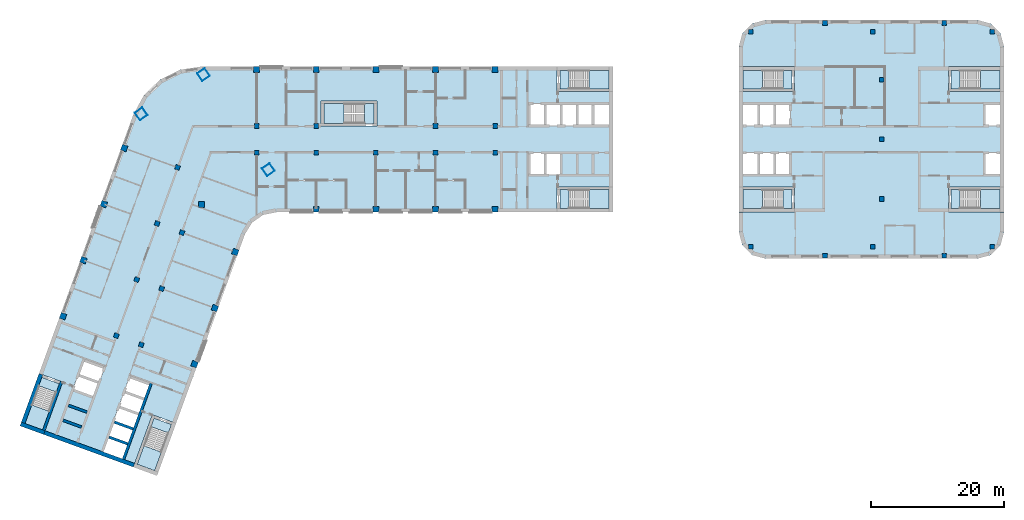
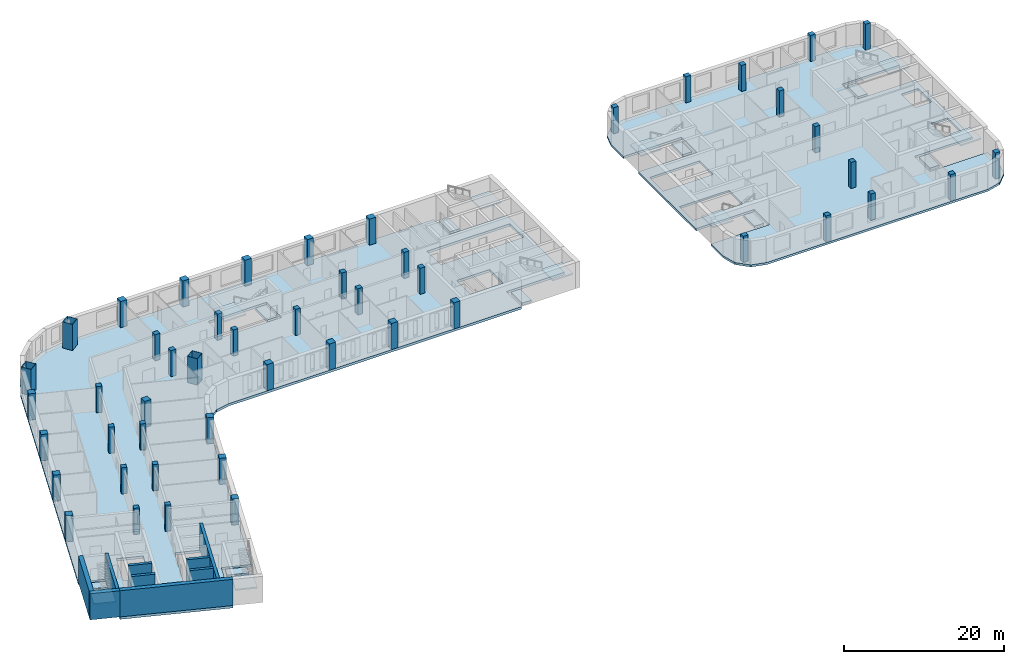
# One storey, part 1 of 12: 49 columns, 20 slabs, 9 walls, 9 elements without a shape of their own.
"""IFC4 building model written with IfcOpenShell, lengths in metres."""

from ifc_helpers import new_model, si_unit, direction, frame, frame_2d, origin, origin_2d, place, context, subcontext, project, spatial, polyline, rectangle, hollow_rectangle, outline, extrude, material, layer, layer_set, material_profile, profile_set, type_object, element, aggregate, save


model = new_model("IFC4")

# Units and contexts
model_context = context("Model", 3, precision=1e-05, world=origin(), true_north=direction((0.0, 1.0)))
body_context = subcontext(model_context, "Body", "Model", "MODEL_VIEW")
ifc_project = project(units=[si_unit("LENGTHUNIT", "METRE"), si_unit("AREAUNIT", "SQUARE_METRE"), si_unit("VOLUMEUNIT", "CUBIC_METRE"), si_unit("PLANEANGLEUNIT", "RADIAN"), si_unit("MASSUNIT", "GRAM", prefix="KILO")], contexts=[model_context])

# Site, building, storey
site_placement = place(None, origin())
site = spatial("IfcSite", under=ifc_project, at=site_placement, CompositionType="ELEMENT")
building_placement = place(site_placement, origin())
building = spatial("IfcBuilding", under=site, at=building_placement, Name="Skarvind Civic Tower", CompositionType="ELEMENT")
storey_placement = place(building_placement, frame((0.0, 0.0, 63.5)))
storey = spatial("IfcBuildingStorey", under=building, at=storey_placement, Name="L14", CompositionType="ELEMENT", Elevation=63.5)

# Columns
ifc_material_1 = material(Name="Concrete C60", Category="concrete")
ifc_material_profile_1 = material_profile(ifc_material_1, rectangle(XDim=0.699951171875, YDim=0.699951171875, at=origin_2d()), Name="RC-700x700")
ifc_profile_set_1 = profile_set([ifc_material_profile_1], Name="Concrete C60")
column_type_1 = type_object("IfcColumnType", Name="Column RC-700x700 C60", PredefinedType="COLUMN", material=ifc_profile_set_1)
for number, where, z_axis, x_axis, name in (
    (1, (54.25, 130.0, 0.0), (0.0, 0.0, 1.0), (1.0, 0.0, 0.0), "Column wing 1 north inner 02 L14"),
    (2, (63.25, 130.0, 0.0), (0.0, 0.0, 1.0), (1.0, 0.0, 0.0), "Column wing 1 north inner 03 L14"),
    (3, (81.25, 130.0, 0.0), (0.0, 0.0, 1.0), (1.0, 0.0, 0.0), "Column wing 1 north inner 05 L14"),
    (4, (90.25, 130.0, 0.0), (0.0, 0.0, 1.0), (1.0, 0.0, 0.0), "Column wing 1 north inner 06 L14"),
    (5, (54.25, 126.0, 0.0), (0.0, 0.0, 1.0), (1.0, 0.0, 0.0), "Column wing 1 south inner 02 L14"),
    (6, (63.25, 126.0, 0.0), (0.0, 0.0, 1.0), (1.0, 0.0, 0.0), "Column wing 1 south inner 03 L14"),
    (7, (72.25, 126.0, 0.0), (0.0, 0.0, 1.0), (1.0, 0.0, 0.0), "Column wing 1 south inner 04 L14"),
    (8, (81.25, 126.0, 0.0), (0.0, 0.0, 1.0), (1.0, 0.0, 0.0), "Column wing 1 south inner 05 L14"),
    (9, (90.25, 126.0, 0.0), (0.0, 0.0, 1.0), (1.0, 0.0, 0.0), "Column wing 1 south inner 06 L14"),
    (10, (43.005615234375, 113.92529296875, 0.0), (0.0, 0.0, 1.0), (-0.342020143326, -0.939692620786, 0.0), "Column wing 2 left inner 02 L14"),
    (11, (39.927490234375, 105.468017578125, 0.0), (0.0, 0.0, 1.0), (-0.342020143326, -0.939692620786, 0.0), "Column wing 2 left inner 03 L14"),
    (12, (36.84912109375, 97.010986328125, 0.0), (0.0, 0.0, 1.0), (-0.342020143326, -0.939692620786, 0.0), "Column wing 2 left inner 04 L14"),
    (13, (42.324951171875, 123.750732421875, 0.0), (0.0, 0.0, 1.0), (-0.342020143326, -0.939692620786, 0.0), "Column wing 2 right inner 01 L14"),
    (14, (39.246826171875, 115.29345703125, 0.0), (0.0, 0.0, 1.0), (-0.342020143326, -0.939692620786, 0.0), "Column wing 2 right inner 02 L14"),
    (15, (36.168701171875, 106.836181640625, 0.0), (0.0, 0.0, 1.0), (-0.342020143326, -0.939692620786, 0.0), "Column wing 2 right inner 03 L14"),
    (16, (33.090576171875, 98.37890625, 0.0), (0.0, 0.0, 1.0), (-0.342020143326, -0.939692620786, 0.0), "Column wing 2 right inner 04 L14"),
    (17, (128.777099609375, 144.222900390625, 0.0), (0.0, 0.0, 1.0), (1.0, 0.0, 0.0), "Column second tower north-west corner L14"),
    (18, (128.777099609375, 111.777099609375, 0.0), (0.0, 0.0, 1.0), (1.0, 0.0, 0.0), "Column second tower south-west corner L14"),
    (19, (148.550048828125, 119.0, 0.0), (0.0, 0.0, 1.0), (1.0, 0.0, 0.0), "Column second tower middle line 01 L14"),
    (20, (148.550048828125, 128.0, 0.0), (0.0, 0.0, 1.0), (1.0, 0.0, 0.0), "Column second tower middle line 02 L14"),
    (21, (148.550048828125, 137.0, 0.0), (0.0, 0.0, 1.0), (1.0, 0.0, 0.0), "Column second tower middle line 03 L14"),
    (22, (140.0, 145.550048828125, 0.0), (0.0, 0.0, 1.0), (1.0, 0.0, 0.0), "Column second tower north perimeter 02 L14"),
    (23, (147.222900390625, 144.222900390625, 0.0), (0.0, 0.0, 1.0), (1.0, 0.0, 0.0), "Column second tower north perimeter 03 L14"),
    (24, (140.0, 110.449951171875, 0.0), (0.0, 0.0, 1.0), (1.0, 0.0, 0.0), "Column second tower south perimeter 02 L14"),
    (25, (147.222900390625, 111.777099609375, 0.0), (0.0, 0.0, 1.0), (1.0, 0.0, 0.0), "Column second tower south perimeter 03 L14"),
    (26, (165.222900390625, 144.222900390625, 0.0), (0.0, 0.0, 1.0), (1.0, 0.0, 0.0), "Column second tower north-east corner L14"),
    (27, (165.222900390625, 111.777099609375, 0.0), (0.0, 0.0, 1.0), (1.0, 0.0, 0.0), "Column second tower south-east corner L14"),
    (28, (158.0, 145.550048828125, 0.0), (0.0, 0.0, 1.0), (1.0, 0.0, 0.0), "Column second tower north perimeter 04 L14"),
    (29, (158.0, 110.449951171875, 0.0), (0.0, 0.0, 1.0), (1.0, 0.0, 0.0), "Column second tower south perimeter 04 L14"),
):
    element("IfcColumn", number, at=place(storey_placement, frame(where, z_axis=z_axis, x_axis=x_axis)), inside=storey, type_object=column_type_1, Name=name, PredefinedType="COLUMN", context=body_context, shape_type="SweptSolid", body=[
        extrude(rectangle(XDim=0.699951171875, YDim=0.699951171875, at=origin_2d()), origin(), (0.0, 0.0, 1.0), 4.0),
    ])
ifc_material_2 = material(Name="Concrete C80", Category="concrete")
ifc_material_profile_2 = material_profile(ifc_material_2, rectangle(XDim=0.89990234375, YDim=0.89990234375, at=origin_2d()), Name="RC-900x900")
ifc_profile_set_2 = profile_set([ifc_material_profile_2], Name="Concrete C80")
column_type_2 = type_object("IfcColumnType", Name="Column RC-900x900 C80", PredefinedType="COLUMN", material=ifc_profile_set_2)
for number, where, z_axis, x_axis, name in (
    (30, (54.25, 138.550048828125, 0.0), (0.0, 0.0, 1.0), (1.0, 0.0, 0.0), "Column wing 1 north perimeter 02 L14"),
    (31, (63.25, 138.550048828125, 0.0), (0.0, 0.0, 1.0), (1.0, 0.0, 0.0), "Column wing 1 north perimeter 03 L14"),
    (32, (72.25, 138.550048828125, 0.0), (0.0, 0.0, 1.0), (1.0, 0.0, 0.0), "Column wing 1 north perimeter 04 L14"),
    (33, (81.25, 138.550048828125, 0.0), (0.0, 0.0, 1.0), (1.0, 0.0, 0.0), "Column wing 1 north perimeter 05 L14"),
    (34, (90.25, 138.550048828125, 0.0), (0.0, 0.0, 1.0), (1.0, 0.0, 0.0), "Column wing 1 north perimeter 06 L14"),
    (35, (45.95166015625, 118.151611328125, 0.0), (0.0, 0.0, 1.0), (1.0, 0.0, 0.0), "Column wing 1 south perimeter 01 L14"),
    (36, (63.25, 117.449951171875, 0.0), (0.0, 0.0, 1.0), (1.0, 0.0, 0.0), "Column wing 1 south perimeter 03 L14"),
    (37, (72.25, 117.449951171875, 0.0), (0.0, 0.0, 1.0), (1.0, 0.0, 0.0), "Column wing 1 south perimeter 04 L14"),
    (38, (81.25, 117.449951171875, 0.0), (0.0, 0.0, 1.0), (1.0, 0.0, 0.0), "Column wing 1 south perimeter 05 L14"),
    (39, (90.25, 117.449951171875, 0.0), (0.0, 0.0, 1.0), (1.0, 0.0, 0.0), "Column wing 1 south perimeter 06 L14"),
    (40, (51.0400390625, 111.0009765625, 0.0), (0.0, 0.0, 1.0), (-0.342020143326, -0.939692620786, 0.0), "Column wing 2 left perimeter 02 L14"),
    (41, (47.961669921875, 102.5439453125, 0.0), (0.0, 0.0, 1.0), (-0.342020143326, -0.939692620786, 0.0), "Column wing 2 left perimeter 03 L14"),
    (42, (44.883544921875, 94.086669921875, 0.0), (0.0, 0.0, 1.0), (-0.342020143326, -0.939692620786, 0.0), "Column wing 2 left perimeter 04 L14"),
    (43, (34.29052734375, 126.6748046875, 0.0), (0.0, 0.0, 1.0), (-0.342020143326, -0.939692620786, 0.0), "Column wing 2 right perimeter 01 L14"),
    (44, (31.21240234375, 118.2177734375, 0.0), (0.0, 0.0, 1.0), (-0.342020143326, -0.939692620786, 0.0), "Column wing 2 right perimeter 02 L14"),
    (45, (28.13427734375, 109.760498046875, 0.0), (0.0, 0.0, 1.0), (-0.342020143326, -0.939692620786, 0.0), "Column wing 2 right perimeter 03 L14"),
    (46, (25.05615234375, 101.30322265625, 0.0), (0.0, 0.0, 1.0), (-0.342020143326, -0.939692620786, 0.0), "Column wing 2 right perimeter 04 L14"),
):
    element("IfcColumn", number, at=place(storey_placement, frame(where, z_axis=z_axis, x_axis=x_axis)), inside=storey, type_object=column_type_2, Name=name, PredefinedType="COLUMN", context=body_context, shape_type="SweptSolid", body=[
        extrude(rectangle(XDim=0.89990234375, YDim=0.89990234375, at=origin_2d()), origin(), (0.0, 0.0, 1.0), 4.0),
    ])
ifc_material_3 = material(Name="Composite concrete-filled steel tube, Steel SM355 with Concrete C80", Category="concrete")
ifc_material_profile_3 = material_profile(ifc_material_3, hollow_rectangle(XDim=1.39990234375, YDim=1.39990234375, WallThickness=0.0400390625, at=origin_2d()), Name="BOX-1400x1400x40")
ifc_profile_set_3 = profile_set([ifc_material_profile_3], Name="Composite concrete-filled steel tube, Steel SM355 with Concrete C80")
column_type_3 = type_object("IfcColumnType", Name="Mega column BOX-1400x1400x40 filled C80", PredefinedType="COLUMN", material=ifc_profile_set_3)
for number, where, z_axis, x_axis, name in (
    (47, (36.845947265625, 131.837646484375, 0.0), (0.0, 0.0, 1.0), (0.573576436351, -0.819152044289, 0.0), "Mega column 1 L14"),
    (48, (46.2470703125, 137.762451171875, 0.0), (0.0, 0.0, 1.0), (0.573576436351, -0.819152044289, 0.0), "Mega column 2 L14"),
    (49, (56.0361328125, 123.43017578125, 0.0), (0.0, 0.0, 1.0), (0.573576436351, -0.819152044289, 0.0), "Mega column 4 L14"),
):
    element("IfcColumn", number, at=place(storey_placement, frame(where, z_axis=z_axis, x_axis=x_axis)), inside=storey, type_object=column_type_3, Name=name, PredefinedType="COLUMN", context=body_context, shape_type="SweptSolid", body=[
        extrude(hollow_rectangle(XDim=1.39990234375, YDim=1.39990234375, WallThickness=0.0400390625, at=origin_2d()), origin(), (0.0, 0.0, 1.0), 4.0),
    ])

# Slabs
ifc_material_4 = material(Name="Concrete C50", Category="concrete")
ifc_layer_1 = layer(ifc_material_4, 0.375)
ifc_layer_set_1 = layer_set([ifc_layer_1], Name="Floor slab 375 C50")
slab_type_1 = type_object("IfcSlabType", Name="Floor slab 375 C50", PredefinedType="FLOOR", material=ifc_layer_set_1)
slab_1_placement = place(storey_placement, frame((0.0, 0.0, -0.375)))
element("IfcSlab", 50, at=slab_1_placement, inside=storey, type_object=slab_type_1, Name="Floor slab L14 1", PredefinedType="FLOOR", context=body_context, shape_type="SweptSolid", body=[
    extrude(outline(polyline([(99.60009765625, 117.0), (99.60009765625, 120.800048828125), (108.0, 120.800048828125), (108.0, 135.199951171875), (99.60009765625, 135.199951171875), (99.60009765625, 139.0), (46.095458984375, 139.0), (42.739501953125, 138.5009765625), (39.6943359375, 137.005615234375), (37.24755859375, 134.6552734375), (35.630615234375, 131.672607421875), (19.41748046875, 87.126708984375), (21.435302734375, 92.6708984375), (25.006103515625, 91.371337890625), (22.13330078125, 83.477783203125), (36.886474609375, 78.108154296875), (35.664794921875, 78.552734375), (38.53759765625, 86.4462890625), (42.108642578125, 85.146484375), (40.0908203125, 79.602294921875), (40.0908203125, 79.602294921875), (52.493896484375, 113.68017578125), (53.560791015625, 115.421630859375), (55.23388671875, 116.593017578125), (57.235107421875, 117.0), (99.60009765625, 117.0)]), holes=[polyline([(32.625244140625, 85.40576171875), (33.446044921875, 87.660888671875), (34.26708984375, 89.916259765625), (35.087890625, 92.17138671875), (38.28271484375, 91.008544921875), (37.4619140625, 88.75341796875), (36.64111328125, 86.498046875), (35.8203125, 84.242919921875), (35.8203125, 84.242919921875), (34.99951171875, 81.987548828125), (34.178466796875, 79.732421875), (30.983642578125, 80.89501953125), (31.804443359375, 83.150390625), (32.625244140625, 85.40576171875), (32.625244140625, 85.40576171875)]), polyline([(31.3291015625, 93.53955078125), (30.50830078125, 91.2841796875), (29.6875, 89.029052734375), (26.492431640625, 90.19189453125), (27.313232421875, 92.447021484375), (28.134033203125, 94.702392578125), (31.3291015625, 93.53955078125)]), polyline([(64.0, 130.0), (64.0, 133.800048828125), (72.39990234375, 133.800048828125), (72.39990234375, 130.0), (64.0, 130.0)]), polyline([(100.199951171875, 126.0), (100.199951171875, 122.60009765625), (97.800048828125, 122.60009765625), (95.39990234375, 122.60009765625), (95.39990234375, 126.0), (97.800048828125, 126.0), (100.199951171875, 126.0)]), polyline([(100.199951171875, 133.39990234375), (102.60009765625, 133.39990234375), (105.0, 133.39990234375), (107.39990234375, 133.39990234375), (107.39990234375, 130.0), (105.0, 130.0), (102.60009765625, 130.0), (100.199951171875, 130.0), (97.800048828125, 130.0), (95.39990234375, 130.0), (95.39990234375, 133.39990234375), (97.800048828125, 133.39990234375), (100.199951171875, 133.39990234375)])]), origin(), (0.0, 0.0, 1.0), 0.375),
])
ifc_layer_2 = layer(ifc_material_4, 0.324951171875)
ifc_layer_set_2 = layer_set([ifc_layer_2], Name="Second tower floor slab 325 C50")
slab_type_2 = type_object("IfcSlabType", Name="Second tower floor slab 325 C50", PredefinedType="FLOOR", material=ifc_layer_set_2)
slab_2_placement = place(storey_placement, frame((0.0, 0.0, -0.324951171875)))
element("IfcSlab", 51, at=slab_2_placement, inside=storey, type_object=slab_type_2, Name="Floor slab L14 1", PredefinedType="FLOOR", context=body_context, shape_type="SweptSolid", body=[
    extrude(outline(polyline([(127.0, 139.0), (135.39990234375, 139.0), (135.39990234375, 135.199951171875), (127.0, 135.199951171875), (127.0, 120.800048828125), (135.39990234375, 120.800048828125), (135.39990234375, 117.0), (127.0, 117.0), (127.0, 114.0), (127.535888671875, 112.0), (129.0, 110.535888671875), (131.0, 110.0), (163.0, 110.0), (165.0, 110.535888671875), (166.464111328125, 112.0), (167.0, 114.0), (167.0, 117.0), (158.60009765625, 117.0), (158.60009765625, 120.800048828125), (167.0, 120.800048828125), (167.0, 135.199951171875), (158.60009765625, 135.199951171875), (158.60009765625, 139.0), (167.0, 139.0), (167.0, 142.0), (166.464111328125, 144.0), (165.0, 145.464111328125), (163.0, 146.0), (131.0, 146.0), (129.0, 145.464111328125), (127.535888671875, 144.0), (127.0, 142.0), (127.0, 139.0)]), holes=[polyline([(132.39990234375, 126.0), (134.800048828125, 126.0), (134.800048828125, 122.60009765625), (132.39990234375, 122.60009765625), (130.0, 122.60009765625), (127.60009765625, 122.60009765625), (127.60009765625, 126.0), (130.0, 126.0), (132.39990234375, 126.0)]), polyline([(130.0, 133.39990234375), (132.39990234375, 133.39990234375), (134.800048828125, 133.39990234375), (134.800048828125, 130.0), (132.39990234375, 130.0), (130.0, 130.0), (127.60009765625, 130.0), (127.60009765625, 133.39990234375), (130.0, 133.39990234375)]), polyline([(166.39990234375, 126.0), (166.39990234375, 122.60009765625), (164.0, 122.60009765625), (164.0, 126.0), (166.39990234375, 126.0)]), polyline([(166.39990234375, 133.39990234375), (166.39990234375, 130.0), (164.0, 130.0), (164.0, 133.39990234375), (166.39990234375, 133.39990234375)])]), origin(), (0.0, 0.0, 1.0), 0.324951171875),
])
ifc_material_5 = material(Name="Concrete C40/50", Category="concrete")
ifc_layer_3 = layer(ifc_material_5, 0.375)
ifc_layer_set_3 = layer_set([ifc_layer_3], Name="Stair floor landing slab 375")
slab_type_3 = type_object("IfcSlabType", Name="Stair floor landing slab 375", PredefinedType="LANDING", material=ifc_layer_set_3)
slab_3_placement = place(storey_placement, frame((0.0, 0.0, -0.375)))
element("IfcSlab", 52, at=slab_3_placement, inside=storey, type_object=slab_type_3, Name="Stair floor landing", PredefinedType="LANDING", context=body_context, shape_type="SweptSolid", body=[
    extrude(outline(polyline([(101.3505859375, 138.400634765625), (101.3505859375, 135.599365234375), (99.99951171875, 135.599365234375), (99.99951171875, 138.400634765625), (101.3505859375, 138.400634765625)])), origin(), (0.0, 0.0, 1.0), 0.375),
])
slab_4_placement = place(storey_placement, frame((0.0, 0.0, -0.375)))
element("IfcSlab", 53, at=slab_4_placement, inside=storey, type_object=slab_type_3, Name="Stair floor landing", PredefinedType="LANDING", context=body_context, shape_type="SweptSolid", body=[
    extrude(outline(polyline([(101.3505859375, 120.400634765625), (101.3505859375, 117.599365234375), (99.99951171875, 117.599365234375), (99.99951171875, 120.400634765625), (101.3505859375, 120.400634765625)])), origin(), (0.0, 0.0, 1.0), 0.375),
])
slab_5_placement = place(storey_placement, frame((0.0, 0.0, -0.375)))
element("IfcSlab", 54, at=slab_5_placement, inside=storey, type_object=slab_type_3, Name="Stair floor landing", PredefinedType="LANDING", context=body_context, shape_type="SweptSolid", body=[
    extrude(outline(polyline([(40.946533203125, 83.70654296875), (38.314208984375, 84.66455078125), (38.7763671875, 85.934326171875), (41.40869140625, 84.976318359375), (40.946533203125, 83.70654296875)])), origin(), (0.0, 0.0, 1.0), 0.375),
])
slab_6_placement = place(storey_placement, frame((0.0, 0.0, -0.375)))
element("IfcSlab", 55, at=slab_6_placement, inside=storey, type_object=slab_type_3, Name="Stair floor landing", PredefinedType="LANDING", context=body_context, shape_type="SweptSolid", body=[
    extrude(outline(polyline([(24.0322265625, 89.863037109375), (21.39990234375, 90.821044921875), (21.862060546875, 92.090576171875), (24.494384765625, 91.132568359375), (24.0322265625, 89.863037109375)])), origin(), (0.0, 0.0, 1.0), 0.375),
])
slab_7_placement = place(storey_placement, frame((0.0, 0.0, -0.375)))
element("IfcSlab", 56, at=slab_7_placement, inside=storey, type_object=slab_type_3, Name="Stair floor landing", PredefinedType="LANDING", context=body_context, shape_type="SweptSolid", body=[
    extrude(outline(polyline([(133.6494140625, 117.599365234375), (133.6494140625, 120.400634765625), (135.00048828125, 120.400634765625), (135.00048828125, 117.599365234375), (133.6494140625, 117.599365234375)])), origin(), (0.0, 0.0, 1.0), 0.375),
])
slab_8_placement = place(storey_placement, frame((0.0, 0.0, -0.375)))
element("IfcSlab", 57, at=slab_8_placement, inside=storey, type_object=slab_type_3, Name="Stair floor landing", PredefinedType="LANDING", context=body_context, shape_type="SweptSolid", body=[
    extrude(outline(polyline([(133.6494140625, 135.599365234375), (133.6494140625, 138.400634765625), (135.00048828125, 138.400634765625), (135.00048828125, 135.599365234375), (133.6494140625, 135.599365234375)])), origin(), (0.0, 0.0, 1.0), 0.375),
])
slab_9_placement = place(storey_placement, frame((0.0, 0.0, -0.375)))
element("IfcSlab", 58, at=slab_9_placement, inside=storey, type_object=slab_type_3, Name="Stair floor landing", PredefinedType="LANDING", context=body_context, shape_type="SweptSolid", body=[
    extrude(outline(polyline([(160.3505859375, 138.400634765625), (160.3505859375, 135.599365234375), (158.99951171875, 135.599365234375), (158.99951171875, 138.400634765625), (160.3505859375, 138.400634765625)])), origin(), (0.0, 0.0, 1.0), 0.375),
])
slab_10_placement = place(storey_placement, frame((0.0, 0.0, -0.375)))
element("IfcSlab", 59, at=slab_10_placement, inside=storey, type_object=slab_type_3, Name="Stair floor landing", PredefinedType="LANDING", context=body_context, shape_type="SweptSolid", body=[
    extrude(outline(polyline([(160.3505859375, 120.400634765625), (160.3505859375, 117.599365234375), (158.99951171875, 117.599365234375), (158.99951171875, 120.400634765625), (160.3505859375, 120.400634765625)])), origin(), (0.0, 0.0, 1.0), 0.375),
])
slab_11_placement = place(storey_placement, frame((0.0, 0.0, -0.375)))
element("IfcSlab", 60, at=slab_11_placement, inside=storey, type_object=slab_type_3, Name="Stair floor landing", PredefinedType="LANDING", context=body_context, shape_type="SweptSolid", body=[
    extrude(outline(polyline([(70.54931640625, 130.3994140625), (70.54931640625, 133.400634765625), (72.00048828125, 133.400634765625), (72.00048828125, 130.3994140625), (70.54931640625, 130.3994140625)])), origin(), (0.0, 0.0, 1.0), 0.375),
])

# Stair, slab
stair_type_1 = type_object("IfcStairType", Name="Exit stair, half-turn, concrete", PredefinedType="HALF_TURN_STAIR", material=ifc_material_5)
stair_1_placement = place(storey_placement, origin())
stair_1 = element("IfcStair", 61, at=stair_1_placement, inside=storey, type_object=stair_type_1, Name="Exit stair C1S", PredefinedType="HALF_TURN_STAIR")
ifc_layer_4 = layer(ifc_material_5, 0.199951171875)
ifc_layer_set_4 = layer_set([ifc_layer_4], Name="Stair half landing slab")
slab_type_4 = type_object("IfcSlabType", Name="Stair half landing slab", PredefinedType="LANDING", material=ifc_layer_set_4)
slab_12_placement = place(storey_placement, frame((0.0, 0.0, 1.800048828125)))
slab_12 = element("IfcSlab", 62, at=slab_12_placement, type_object=slab_type_4, Name="ST-C1S landing 1", PredefinedType="LANDING", context=body_context, shape_type="SweptSolid", body=[
    extrude(outline(polyline([(104.429443359375, 135.599365234375), (104.429443359375, 138.400634765625), (107.400634765625, 138.400634765625), (107.400634765625, 135.599365234375), (104.429443359375, 135.599365234375)])), origin(), (0.0, 0.0, 1.0), 0.199951171875),
])
aggregate(stair_1, [slab_12])

stair_2_placement = place(storey_placement, origin())
stair_2 = element("IfcStair", 63, at=stair_2_placement, inside=storey, type_object=stair_type_1, Name="Exit stair C1N", PredefinedType="HALF_TURN_STAIR")
slab_13_placement = place(storey_placement, frame((0.0, 0.0, 1.800048828125)))
slab_13 = element("IfcSlab", 64, at=slab_13_placement, type_object=slab_type_4, Name="ST-C1N landing 1", PredefinedType="LANDING", context=body_context, shape_type="SweptSolid", body=[
    extrude(outline(polyline([(104.429443359375, 117.599365234375), (104.429443359375, 120.400634765625), (107.400634765625, 120.400634765625), (107.400634765625, 117.599365234375), (104.429443359375, 117.599365234375)])), origin(), (0.0, 0.0, 1.0), 0.199951171875),
])
aggregate(stair_2, [slab_13])

stair_3_placement = place(storey_placement, origin())
stair_3 = element("IfcStair", 65, at=stair_3_placement, inside=storey, type_object=stair_type_1, Name="Exit stair C2S", PredefinedType="HALF_TURN_STAIR")
slab_14_placement = place(storey_placement, frame((0.0, 0.0, 1.800048828125)))
slab_14 = element("IfcSlab", 66, at=slab_14_placement, type_object=slab_type_4, Name="ST-C2S landing 1", PredefinedType="LANDING", context=body_context, shape_type="SweptSolid", body=[
    extrude(outline(polyline([(37.26123046875, 81.771484375), (39.8935546875, 80.8134765625), (38.87744140625, 78.021484375), (36.2451171875, 78.9794921875), (37.26123046875, 81.771484375)])), origin(), (0.0, 0.0, 1.0), 0.199951171875),
])
aggregate(stair_3, [slab_14])

stair_4_placement = place(storey_placement, origin())
stair_4 = element("IfcStair", 67, at=stair_4_placement, inside=storey, type_object=stair_type_1, Name="Exit stair C2N", PredefinedType="HALF_TURN_STAIR")
slab_15_placement = place(storey_placement, frame((0.0, 0.0, 1.800048828125)))
slab_15 = element("IfcSlab", 68, at=slab_15_placement, type_object=slab_type_4, Name="ST-C2N landing 1", PredefinedType="LANDING", context=body_context, shape_type="SweptSolid", body=[
    extrude(outline(polyline([(20.346923828125, 87.927734375), (22.97900390625, 86.9697265625), (21.962890625, 84.177734375), (19.33056640625, 85.1357421875), (20.346923828125, 87.927734375)])), origin(), (0.0, 0.0, 1.0), 0.199951171875),
])
aggregate(stair_4, [slab_15])

stair_5_placement = place(storey_placement, origin())
stair_5 = element("IfcStair", 69, at=stair_5_placement, inside=storey, type_object=stair_type_1, Name="Exit stair CAS", PredefinedType="HALF_TURN_STAIR")
slab_16_placement = place(storey_placement, frame((0.0, 0.0, 1.800048828125)))
slab_16 = element("IfcSlab", 70, at=slab_16_placement, type_object=slab_type_4, Name="ST-CAS landing 1", PredefinedType="LANDING", context=body_context, shape_type="SweptSolid", body=[
    extrude(outline(polyline([(130.570556640625, 120.400634765625), (130.570556640625, 117.599365234375), (127.599365234375, 117.599365234375), (127.599365234375, 120.400634765625), (130.570556640625, 120.400634765625)])), origin(), (0.0, 0.0, 1.0), 0.199951171875),
])
aggregate(stair_5, [slab_16])

stair_6_placement = place(storey_placement, origin())
stair_6 = element("IfcStair", 71, at=stair_6_placement, inside=storey, type_object=stair_type_1, Name="Exit stair CAN", PredefinedType="HALF_TURN_STAIR")
slab_17_placement = place(storey_placement, frame((0.0, 0.0, 1.800048828125)))
slab_17 = element("IfcSlab", 72, at=slab_17_placement, type_object=slab_type_4, Name="ST-CAN landing 1", PredefinedType="LANDING", context=body_context, shape_type="SweptSolid", body=[
    extrude(outline(polyline([(130.570556640625, 138.400634765625), (130.570556640625, 135.599365234375), (127.599365234375, 135.599365234375), (127.599365234375, 138.400634765625), (130.570556640625, 138.400634765625)])), origin(), (0.0, 0.0, 1.0), 0.199951171875),
])
aggregate(stair_6, [slab_17])

stair_7_placement = place(storey_placement, origin())
stair_7 = element("IfcStair", 73, at=stair_7_placement, inside=storey, type_object=stair_type_1, Name="Exit stair CBS", PredefinedType="HALF_TURN_STAIR")
slab_18_placement = place(storey_placement, frame((0.0, 0.0, 1.800048828125)))
slab_18 = element("IfcSlab", 74, at=slab_18_placement, type_object=slab_type_4, Name="ST-CBS landing 1", PredefinedType="LANDING", context=body_context, shape_type="SweptSolid", body=[
    extrude(outline(polyline([(163.429443359375, 135.599365234375), (163.429443359375, 138.400634765625), (166.400634765625, 138.400634765625), (166.400634765625, 135.599365234375), (163.429443359375, 135.599365234375)])), origin(), (0.0, 0.0, 1.0), 0.199951171875),
])
aggregate(stair_7, [slab_18])

stair_8_placement = place(storey_placement, origin())
stair_8 = element("IfcStair", 75, at=stair_8_placement, inside=storey, type_object=stair_type_1, Name="Exit stair CBN", PredefinedType="HALF_TURN_STAIR")
slab_19_placement = place(storey_placement, frame((0.0, 0.0, 1.800048828125)))
slab_19 = element("IfcSlab", 76, at=slab_19_placement, type_object=slab_type_4, Name="ST-CBN landing 1", PredefinedType="LANDING", context=body_context, shape_type="SweptSolid", body=[
    extrude(outline(polyline([(163.429443359375, 117.599365234375), (163.429443359375, 120.400634765625), (166.400634765625, 120.400634765625), (166.400634765625, 117.599365234375), (163.429443359375, 117.599365234375)])), origin(), (0.0, 0.0, 1.0), 0.199951171875),
])
aggregate(stair_8, [slab_19])

stair_type_2 = type_object("IfcStairType", Name="Exit stair 1450, half-turn, concrete", PredefinedType="HALF_TURN_STAIR", material=ifc_material_5)
stair_9_placement = place(storey_placement, origin())
stair_9 = element("IfcStair", 77, at=stair_9_placement, inside=storey, type_object=stair_type_2, Name="Exit stair CM", PredefinedType="HALF_TURN_STAIR")
slab_20_placement = place(storey_placement, frame((0.0, 0.0, 1.800048828125)))
slab_20 = element("IfcSlab", 78, at=slab_20_placement, type_object=slab_type_4, Name="ST-CM landing 1", PredefinedType="LANDING", context=body_context, shape_type="SweptSolid", body=[
    extrude(outline(polyline([(67.470703125, 133.400634765625), (67.470703125, 130.3994140625), (64.3994140625, 130.3994140625), (64.3994140625, 133.400634765625), (67.470703125, 133.400634765625)])), origin(), (0.0, 0.0, 1.0), 0.199951171875),
])
aggregate(stair_9, [slab_20])

# Walls
ifc_layer_5 = layer(ifc_material_2, 0.39990234375)
ifc_layer_set_5 = layer_set([ifc_layer_5], Name="Core wall 400 C80")
wall_type_1 = type_object("IfcWallType", Name="Core wall 400 C80", PredefinedType="SHEAR", material=ifc_layer_set_5)
wall_1_placement = place(storey_placement, frame((22.150390625, 84.110107421875, 0.0), z_axis=(0.0, 0.0, 1.0), x_axis=(0.342016982193, 0.939693771338, 0.0)))
element("IfcWall", 79, at=wall_1_placement, inside=storey, type_object=wall_type_1, Name="Core wall C2 north stair inner L14", PredefinedType="SHEAR", context=body_context, shape_type="SweptSolid", body=[
    extrude(rectangle(XDim=7.800048828125, YDim=0.39990234375, at=frame_2d((3.89990234375, 0.0))), origin(), (0.0, 0.0, 1.0), 4.0),
])
wall_2_placement = place(storey_placement, frame((34.178466796875, 79.732177734375, 0.0), z_axis=(0.0, 0.0, 1.0), x_axis=(0.342014590177, 0.939694641948, 0.0)))
element("IfcWall", 80, at=wall_2_placement, inside=storey, type_object=wall_type_1, Name="Core wall C2 south lift row back L14", PredefinedType="SHEAR", context=body_context, shape_type="SweptSolid", body=[
    extrude(rectangle(XDim=12.2001953125, YDim=0.39990234375, at=frame_2d((6.10009765625, 0.0))), origin(), (0.0, 0.0, 1.0), 4.0),
])
for number, where, z_axis, x_axis, name in (
    (81, (34.8115234375, 82.055908203125, 0.0), (0.0, 0.0, 1.0), (-0.939686455819, 0.342037080957, 0.0), "Core wall C2 south lift row division 1 L14"),
    (82, (35.63232421875, 84.311279296875, 0.0), (0.0, 0.0, 1.0), (-0.939712609717, 0.341965219194, 0.0), "Core wall C2 south lift row division 2 L14"),
    (83, (27.857666015625, 84.5869140625, 0.0), (0.0, 0.0, 1.0), (-0.939686455819, 0.342037080957, 0.0), "Core wall C2 north lift row division 1 L14"),
):
    element("IfcWall", number, at=place(storey_placement, frame(where, z_axis=z_axis, x_axis=x_axis)), inside=storey, type_object=wall_type_1, Name=name, PredefinedType="SHEAR", context=body_context, shape_type="SweptSolid", body=[
        extrude(rectangle(XDim=3.0, YDim=0.39990234375, at=frame_2d((1.5, 0.0))), origin(), (0.0, 0.0, 1.0), 4.0),
    ])
wall_3_placement = place(storey_placement, frame((28.678466796875, 86.842041015625, 0.0), z_axis=(0.0, 0.0, 1.0), x_axis=(-0.939676934218, 0.342063238742, 0.0)))
element("IfcWall", 84, at=wall_3_placement, inside=storey, type_object=wall_type_1, Name="Core wall C2 north lift row division 2 L14", PredefinedType="SHEAR", context=body_context, shape_type="SweptSolid", body=[
    extrude(rectangle(XDim=2.999755859375, YDim=0.39990234375, at=frame_2d((1.5, 0.0))), origin(), (0.0, 0.0, 1.0), 4.0),
])
ifc_layer_6 = layer(ifc_material_2, 0.60009765625)
ifc_layer_set_6 = layer_set([ifc_layer_6], Name="Core wall 600 C80")
wall_type_2 = type_object("IfcWallType", Name="Core wall 600 C80", PredefinedType="SHEAR", material=ifc_layer_set_6)
wall_4_placement = place(storey_placement, frame((35.767333984375, 78.834716796875, 0.0), z_axis=(0.0, 0.0, 1.0), x_axis=(-0.939692894512, 0.342019391267, 0.0)))
element("IfcWall", 85, at=wall_4_placement, inside=storey, type_object=wall_type_2, Name="Core wall C2 tip between the stairs L14", PredefinedType="SHEAR", context=body_context, shape_type="SweptSolid", body=[
    extrude(rectangle(XDim=14.39990234375, YDim=0.60009765625, at=frame_2d((7.199951171875, 0.0))), origin(), (0.0, 0.0, 1.0), 4.0),
])
wall_5_placement = place(storey_placement, frame((22.23583984375, 83.759765625, 0.0), z_axis=(0.0, 0.0, 1.0), x_axis=(-0.939680822529, 0.342052557032, 0.0)))
element("IfcWall", 86, at=wall_5_placement, inside=storey, type_object=wall_type_2, Name="Core wall C2 tip at the north stair L14", PredefinedType="SHEAR", context=body_context, shape_type="SweptSolid", body=[
    extrude(rectangle(XDim=3.800048828125, YDim=0.60009765625, at=frame_2d((1.89990234375, 0.0))), origin(), (0.0, 0.0, 1.0), 4.0),
])
wall_6_placement = place(storey_placement, frame((19.049560546875, 85.23876953125, 0.0), z_axis=(0.0, 0.0, 1.0), x_axis=(0.342016982193, 0.939693771338, 0.0)))
element("IfcWall", 87, at=wall_6_placement, inside=storey, type_object=wall_type_2, Name="Core wall C2 north side at the stair L14", PredefinedType="SHEAR", context=body_context, shape_type="SweptSolid", body=[
    extrude(rectangle(XDim=7.800048828125, YDim=0.60009765625, at=frame_2d((3.89990234375, 0.0))), origin(), (0.0, 0.0, 1.0), 4.0),
])

save(model, "model.ifc")
